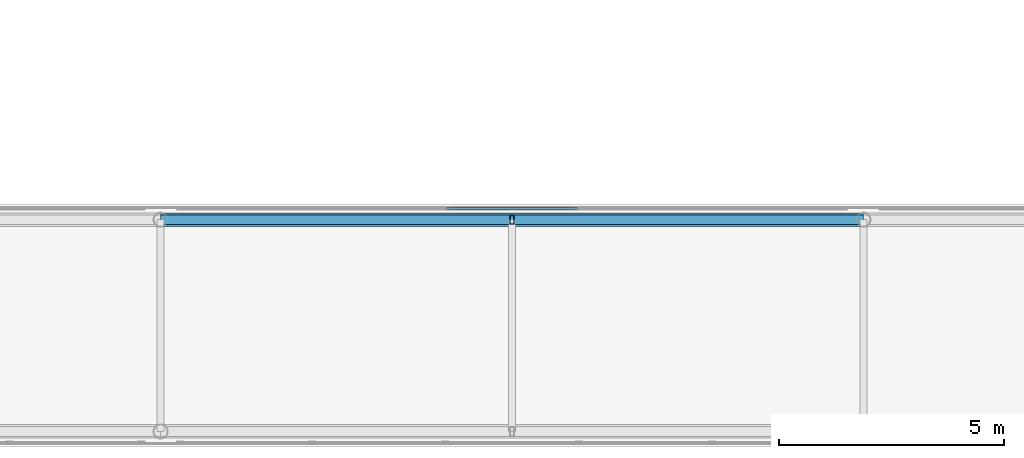
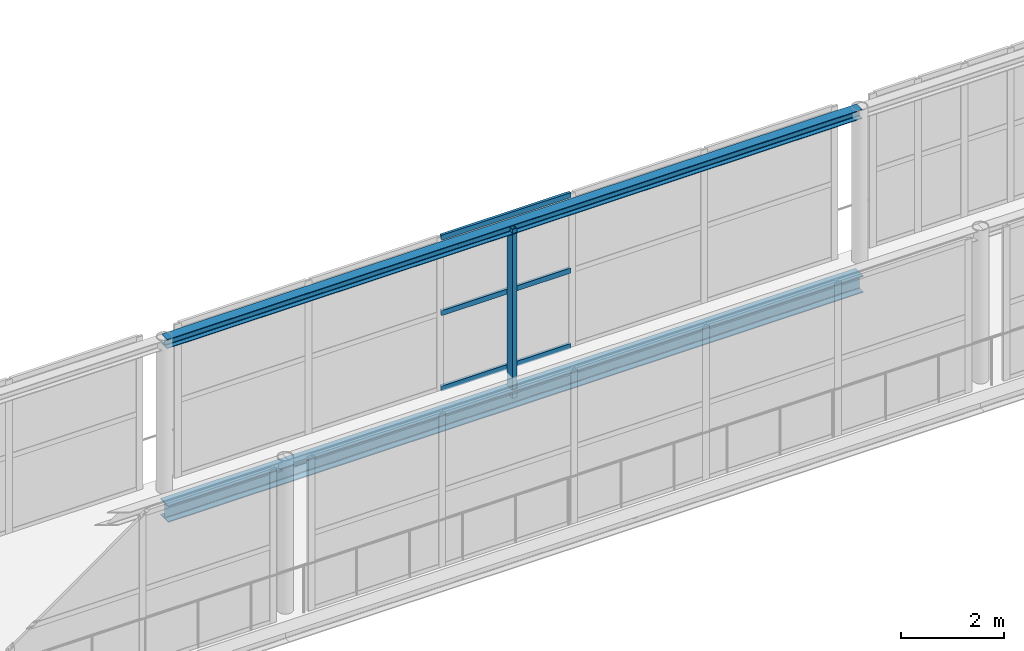
# One storey, part 81 of 175: 5 members, 1 beam, 1 element without a shape of its own.
"""IFC4 building model written with IfcOpenShell, lengths in metres."""

import ifcopenshell
import ifcopenshell.guid

model = None  # the IFC model being written
_history = None  # IfcOwnerHistory: only IFC2X3 demands one
_inside = {}  # id of a spatial element -> (the spatial element, [elements in it])
_under = {}  # id of a project, library or spatial element -> (it, [spatial elements below it])
_declared = {}  # id of a project -> (the project, [libraries it declares])
_typed = {}  # id of a type object -> (the type object, [elements of that type])
_made_of = {}  # id of a material, layer set ... -> (it, [elements and type objects made of it])


def new_model(schema):
    """Start an empty IFC model of exactly this schema.

    Asked for "IFC4X3", IfcOpenShell would pick the latest addendum, in which some entities
    have other attributes; the version numbers below select the first issue.
    IFC2X3 requires an IfcOwnerHistory on every rooted entity: one is made here for all.
    """
    global model, _history
    if schema == "IFC4X3":
        model = ifcopenshell.file(schema_version=(4, 3, 0, 0))
    else:
        model = ifcopenshell.file(schema=schema)
    _inside.clear()
    _under.clear()
    _declared.clear()
    _typed.clear()
    _made_of.clear()
    _history = None
    if model.schema == "IFC2X3":
        org = make("IfcOrganization", Name="unknown")
        user = make(
            "IfcPersonAndOrganization",
            ThePerson=make("IfcPerson", FamilyName="unknown"),
            TheOrganization=org,
        )
        app = make(
            "IfcApplication",
            ApplicationDeveloper=org,
            Version="unknown",
            ApplicationFullName="unknown",
            ApplicationIdentifier="unknown",
        )
        _history = make(
            "IfcOwnerHistory",
            OwningUser=user,
            OwningApplication=app,
            ChangeAction="ADDED",
            CreationDate=0,
        )
    return model


def make(cls, **values):
    """One entity of the class cls with the attributes given. An attribute that is None is left unset."""
    return model.create_entity(
        cls, **{name: value for name, value in values.items() if value is not None}
    )


def rooted(cls, **values):
    """An entity with a GlobalId (a new one), such as an element, a storey or a relation."""
    return make(cls, GlobalId=ifcopenshell.guid.new(), OwnerHistory=_history, **values)


def si_unit(unit_type, name, prefix=None):
    """IfcSIUnit, for example si_unit("LENGTHUNIT", "METRE", prefix="MILLI")."""
    return make("IfcSIUnit", UnitType=unit_type, Prefix=prefix, Name=name)


def assignment(units):
    """IfcUnitAssignment: the units of a project."""
    return None if units is None else make("IfcUnitAssignment", Units=units)


def point(xyz):
    """IfcCartesianPoint."""
    return None if xyz is None else make("IfcCartesianPoint", Coordinates=xyz)


def direction(xyz):
    """IfcDirection."""
    return None if xyz is None else make("IfcDirection", DirectionRatios=xyz)


def frame(location, z_axis=None, x_axis=None):
    """IfcAxis2Placement3D, a coordinate frame: its origin and axes. An axis left out is left unset."""
    return make(
        "IfcAxis2Placement3D",
        Location=point(location),
        Axis=direction(z_axis),
        RefDirection=direction(x_axis),
    )


def frame_2d(location, x_axis=None):
    """IfcAxis2Placement2D, a coordinate frame in the plane: its origin and x axis."""
    return make(
        "IfcAxis2Placement2D", Location=point(location), RefDirection=direction(x_axis)
    )


def origin():
    """The frame at (0, 0, 0) with its axes left unset."""
    return frame((0.0, 0.0, 0.0))


def origin_2d():
    """The frame at (0, 0) in the plane with its x axis left unset."""
    return frame_2d((0.0, 0.0))


def place(relative_to, where):
    """IfcLocalPlacement: puts the frame where relative to a parent placement (None: the world)."""
    return make(
        "IfcLocalPlacement", PlacementRelTo=relative_to, RelativePlacement=where
    )


def context(
    kind, dimensions, precision=None, world=None, true_north=None, identifier=None
):
    """IfcGeometricRepresentationContext, for example the 3D "Model" context."""
    return make(
        "IfcGeometricRepresentationContext",
        ContextIdentifier=identifier,
        ContextType=kind,
        CoordinateSpaceDimension=dimensions,
        Precision=precision,
        WorldCoordinateSystem=world,
        TrueNorth=true_north,
    )


def subcontext(parent, identifier, kind, view, scale=None):
    """IfcGeometricRepresentationSubContext, for example "Body" below "Model"."""
    return make(
        "IfcGeometricRepresentationSubContext",
        ContextIdentifier=identifier,
        ContextType=kind,
        ParentContext=parent,
        TargetScale=scale,
        TargetView=view,
    )


def project(units=None, contexts=None):
    """IfcProject with its units and contexts."""
    return rooted(
        "IfcProject",
        Name="project",
        RepresentationContexts=contexts,
        UnitsInContext=assignment(units),
    )


def spatial(cls, under=None, at=None, **own):
    """A site, building, storey or space (cls), placed at a placement, below another one or the project."""
    s = rooted(cls, ObjectPlacement=at, **own)
    if under is not None:
        _under.setdefault(under.id(), (under, []))[1].append(s)
    return s


def profile(cls, at=None, kind="AREA", **sizes):
    """A parametric profile (cls). Its sizes go by their IFC names, for example OverallWidth=200.0."""
    return make(cls, ProfileType=kind, Position=at, **sizes)


def hollow_rectangle(**sizes):
    """IfcRectangleHollowProfileDef."""
    return profile("IfcRectangleHollowProfileDef", **sizes)


def i_section(**sizes):
    """IfcIShapeProfileDef."""
    return profile("IfcIShapeProfileDef", **sizes)


def extrude(swept, where, along, depth):
    """IfcExtrudedAreaSolid: the profile swept, set in the frame where, extruded along a direction by depth."""
    return make(
        "IfcExtrudedAreaSolid",
        SweptArea=swept,
        Position=where,
        ExtrudedDirection=direction(along),
        Depth=depth,
    )


def shape(context_of_items, identifier, shape_type, items):
    """IfcShapeRepresentation: the items that make up one representation, for example the "Body"."""
    return make(
        "IfcShapeRepresentation",
        ContextOfItems=context_of_items,
        RepresentationIdentifier=identifier,
        RepresentationType=shape_type,
        Items=items,
    )


def material(Name=None, Category=None):
    """IfcMaterial."""
    return make("IfcMaterial", Name=Name, Category=Category)


def layer(
    of_material, thickness, ventilated=None, Name=None, Category=None, Priority=None
):
    """IfcMaterialLayer: one layer of a wall or slab, of a material (None: an air gap)."""
    return make(
        "IfcMaterialLayer",
        Material=of_material,
        LayerThickness=thickness,
        IsVentilated=ventilated,
        Name=Name,
        Category=Category,
        Priority=Priority,
    )


def layer_set(layers, Name=None):
    """IfcMaterialLayerSet."""
    return make("IfcMaterialLayerSet", MaterialLayers=layers, LayerSetName=Name)


def material_profile(
    of_material, cross_section, Name=None, Category=None, Priority=None
):
    """IfcMaterialProfile: a cross section and its material."""
    return make(
        "IfcMaterialProfile",
        Name=Name,
        Material=of_material,
        Profile=cross_section,
        Priority=Priority,
        Category=Category,
    )


def profile_set(profiles, Name=None, composite=None):
    """IfcMaterialProfileSet."""
    return make(
        "IfcMaterialProfileSet",
        Name=Name,
        MaterialProfiles=profiles,
        CompositeProfile=composite,
    )


def made_of(thing, what):
    """Note that an element or type object is made of a material, layer set ...; save() writes the relation."""
    if what is not None:
        _made_of.setdefault(what.id(), (what, []))[1].append(thing)
    return thing


def type_object(cls, material=None, **own):
    """A type object (cls), such as IfcWallType, which elements share."""
    return made_of(rooted(cls, **own), material)


def element(
    cls,
    number,
    at=None,
    inside=None,
    cuts=None,
    type_object=None,
    material=None,
    context=None,
    identifier="Body",
    shape_type=None,
    held_by="IfcProductDefinitionShape",
    body=None,
    shapes=None,
    **own,
):
    """One element of the class cls, such as IfcWall. Its Tag is "e" and its number.

    at: its placement. inside: the storey or other place that contains it. cuts: it is an
    opening in that element (IfcRelVoidsElement). A single representation is given by context,
    identifier, shape_type and body (its items); several are given by shapes. held_by: the class
    of the entity that holds the representations. save() writes the other relations.
    """
    e = rooted(cls, Tag="e%d" % number, ObjectPlacement=at, **own)
    if body is not None:
        shapes = [shape(context, identifier, shape_type, body)]
    if shapes is not None:
        e.Representation = make(held_by, Representations=shapes)
    if inside is not None:
        _inside.setdefault(inside.id(), (inside, []))[1].append(e)
    if cuts is not None:
        rooted(
            "IfcRelVoidsElement", RelatingBuildingElement=cuts, RelatedOpeningElement=e
        )
    if type_object is not None:
        _typed.setdefault(type_object.id(), (type_object, []))[1].append(e)
    return made_of(e, material)


def aggregate(whole, parts):
    """IfcRelAggregates: a whole, such as a stair, and the parts it consists of."""
    return rooted("IfcRelAggregates", RelatingObject=whole, RelatedObjects=parts)


def save(model, path):
    """Write the relations noted so far, then the file.

    IfcRelAggregates (storeys below a building ...), IfcRelContainedInSpatialStructure (elements
    in a storey), IfcRelDefinesByType, IfcRelAssociatesMaterial and IfcRelDeclares: one each for
    every whole, place, type object, material and project.
    """
    for whole, parts in _under.values():
        aggregate(whole, parts)
    for where, things in _inside.values():
        rooted(
            "IfcRelContainedInSpatialStructure",
            RelatedElements=things,
            RelatingStructure=where,
        )
    for kind, things in _typed.values():
        rooted("IfcRelDefinesByType", RelatedObjects=things, RelatingType=kind)
    for what, things in _made_of.values():
        rooted("IfcRelAssociatesMaterial", RelatedObjects=things, RelatingMaterial=what)
    for by, libraries in _declared.values():
        rooted("IfcRelDeclares", RelatingContext=by, RelatedDefinitions=libraries)
    model.write(path)


model = new_model("IFC4")

# Units and contexts
model_context = context("Model", 3, precision=1e-05, world=origin(), true_north=direction((0.0, 1.0)))
body_context = subcontext(model_context, "Body", "Model", "MODEL_VIEW")
ifc_project = project(units=[si_unit("LENGTHUNIT", "METRE"), si_unit("AREAUNIT", "SQUARE_METRE"), si_unit("VOLUMEUNIT", "CUBIC_METRE"), si_unit("PLANEANGLEUNIT", "RADIAN"), si_unit("MASSUNIT", "GRAM", prefix="KILO")], contexts=[model_context])

# Site, building, storey
site_placement = place(None, origin())
site = spatial("IfcSite", under=ifc_project, at=site_placement, CompositionType="ELEMENT")
building_placement = place(site_placement, origin())
building = spatial("IfcBuilding", under=site, at=building_placement, Name="Zizhar Promenade General Hospital", CompositionType="ELEMENT")
storey_placement = place(building_placement, frame((0.0, 0.0, 4.800048828125)))
storey = spatial("IfcBuildingStorey", under=building, at=storey_placement, Name="L01", CompositionType="ELEMENT", Elevation=4.800048828125)

# Beam
ifc_material_1 = material(Name="Steel S355", Category="steel")
ifc_material_profile_1 = material_profile(ifc_material_1, i_section(OverallWidth=0.300048828125, OverallDepth=0.39990234375, WebThickness=0.013427734375, FlangeThickness=0.02392578125, FilletRadius=0.027099609375, at=origin_2d()))
ifc_profile_set_1 = profile_set([ifc_material_profile_1], Name="Steel S355")
beam_type = type_object("IfcBeamType", Name="BM-STL-HEB400", PredefinedType="BEAM", material=ifc_profile_set_1)
beam_placement = place(storey_placement, frame((101.39990234375, 65.64990234375, -0.5), z_axis=(1.0, 0.0, 0.0), x_axis=(0.0, 1.0, 0.0)))
element("IfcBeam", 1, at=beam_placement, inside=storey, type_object=beam_type, Name="SB-1 Bottom Chord 3N", PredefinedType="BEAM", context=body_context, shape_type="SweptSolid", body=[
    extrude(i_section(OverallWidth=0.300048828125, OverallDepth=0.39990234375, WebThickness=0.013427734375, FlangeThickness=0.02392578125, FilletRadius=0.027099609375, at=origin_2d()), origin(), (0.0, 0.0, 1.0), 15.60009765625),
])

# Curtain wall, members
ifc_material_2 = material(Name="Anodised aluminium 6063-T6 and low-E glass", Category="aluminium")
ifc_layer = layer(ifc_material_2, 0.159912109375)
ifc_layer_set = layer_set([ifc_layer], Name="Anodised aluminium 6063-T6 and low-E glass")
curtain_wall_type = type_object("IfcCurtainWallType", Name="CW-SKY-GLZ", PredefinedType="NOTDEFINED", material=ifc_layer_set)
curtain_wall_placement = place(storey_placement, origin())
curtain_wall = element("IfcCurtainWall", 2, at=curtain_wall_placement, inside=storey, type_object=curtain_wall_type, Name="Courtyard Clinical Skybridge Level L01 North Glazing 3", PredefinedType="NOTDEFINED")
ifc_material_3 = material(Name="Anodised aluminium 6063-T6", Category="aluminium")
ifc_material_profile_2 = material_profile(ifc_material_3, hollow_rectangle(XDim=0.06005859375, YDim=0.1201171875, WallThickness=0.00390625, at=origin_2d()))
ifc_profile_set_2 = profile_set([ifc_material_profile_2], Name="Anodised aluminium 6063-T6")
member_type_1 = type_object("IfcMemberType", Name="CWT-ALU-120x60", PredefinedType="USERDEFINED", material=ifc_profile_set_2)
member_1_placement = place(storey_placement, frame((107.75, 65.89990234375, 0.030029296875), z_axis=(1.0, 0.0, 0.0), x_axis=(0.0, 1.0, 0.0)))
member_1 = element("IfcMember", 3, at=member_1_placement, type_object=member_type_1, Name="CW-15 transom 3.1", ObjectType="TRANSOM", PredefinedType="USERDEFINED", context=body_context, shape_type="SweptSolid", body=[
    extrude(hollow_rectangle(XDim=0.06005859375, YDim=0.1201171875, WallThickness=0.00390625, at=origin_2d()), origin(), (0.0, 0.0, 1.0), 2.89990234375),
])
member_2_placement = place(storey_placement, frame((107.75, 65.89990234375, 1.820068359375), z_axis=(1.0, 0.0, 0.0), x_axis=(0.0, 1.0, 0.0)))
member_2 = element("IfcMember", 4, at=member_2_placement, type_object=member_type_1, Name="CW-15 transom 3.2", ObjectType="TRANSOM", PredefinedType="USERDEFINED", context=body_context, shape_type="SweptSolid", body=[
    extrude(hollow_rectangle(XDim=0.06005859375, YDim=0.1201171875, WallThickness=0.00390625, at=origin_2d()), origin(), (0.0, 0.0, 1.0), 2.89990234375),
])
member_3_placement = place(storey_placement, frame((107.75, 65.89990234375, 3.60986328125), z_axis=(1.0, 0.0, 0.0), x_axis=(0.0, 1.0, 0.0)))
member_3 = element("IfcMember", 5, at=member_3_placement, type_object=member_type_1, Name="CW-15 transom 3.3", ObjectType="TRANSOM", PredefinedType="USERDEFINED", context=body_context, shape_type="SweptSolid", body=[
    extrude(hollow_rectangle(XDim=0.06005859375, YDim=0.1201171875, WallThickness=0.00390625, at=origin_2d()), origin(), (0.0, 0.0, 1.0), 2.89990234375),
])
aggregate(curtain_wall, [member_1, member_2, member_3])

# Members
ifc_material_4 = material(Name="Steel S355", Category="steel")
ifc_material_profile_3 = material_profile(ifc_material_4, i_section(OverallWidth=0.219970703125, OverallDepth=0.219970703125, WebThickness=0.009521484375, FlangeThickness=0.01611328125, FilletRadius=0.01806640625, at=origin_2d()))
ifc_profile_set_3 = profile_set([ifc_material_profile_3], Name="Steel S355")
member_type_2 = type_object("IfcMemberType", Name="MEM-CHORD-HEB220", PredefinedType="CHORD", material=ifc_profile_set_3)
member_4_placement = place(storey_placement, frame((101.39990234375, 65.64990234375, 3.510009765625), z_axis=(1.0, 0.0, 0.0), x_axis=(0.0, 1.0, 0.0)))
element("IfcMember", 6, at=member_4_placement, inside=storey, type_object=member_type_2, Name="SB-1 Top Chord 3N", PredefinedType="CHORD", context=body_context, shape_type="SweptSolid", body=[
    extrude(i_section(OverallWidth=0.219970703125, OverallDepth=0.219970703125, WebThickness=0.009521484375, FlangeThickness=0.01611328125, FilletRadius=0.01806640625, at=origin_2d()), origin(), (0.0, 0.0, 1.0), 15.60009765625),
])
ifc_material_5 = material(Name="Steel S355", Category="steel")
ifc_material_profile_4 = material_profile(ifc_material_5, hollow_rectangle(XDim=0.10009765625, YDim=0.199951171875, WallThickness=0.008056640625, at=origin_2d()))
ifc_profile_set_4 = profile_set([ifc_material_profile_4], Name="Steel S355")
member_type_3 = type_object("IfcMemberType", Name="MEM-STRUT-RHS200", PredefinedType="STRUT", material=ifc_profile_set_4)
member_5_placement = place(storey_placement, frame((109.199951171875, 65.64990234375, -0.5), z_axis=(0.0, 0.0, 1.0), x_axis=(1.0, 0.0, 0.0)))
element("IfcMember", 7, at=member_5_placement, inside=storey, type_object=member_type_3, Name="SB-1 Vierendeel Post 3N", PredefinedType="STRUT", context=body_context, shape_type="SweptSolid", body=[
    extrude(hollow_rectangle(XDim=0.10009765625, YDim=0.199951171875, WallThickness=0.008056640625, at=origin_2d()), origin(), (0.0, 0.0, 1.0), 4.010009765625),
])

save(model, "model.ifc")
